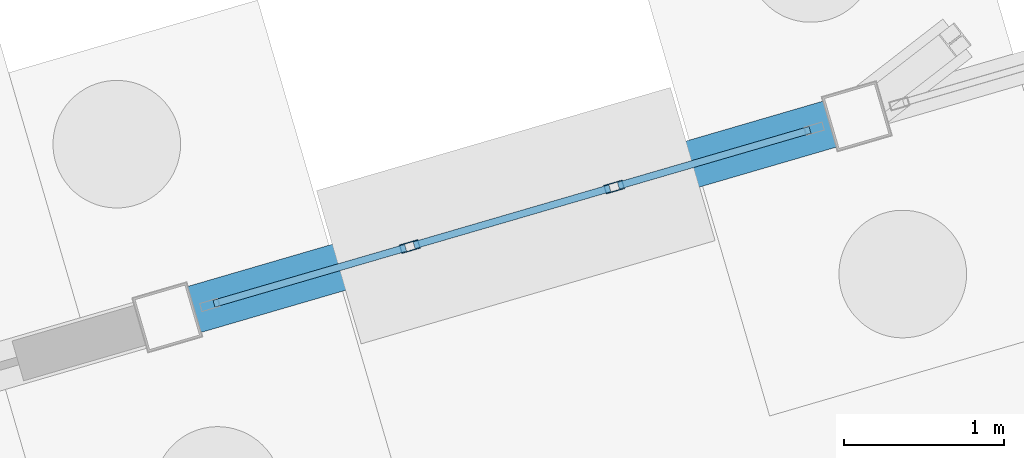
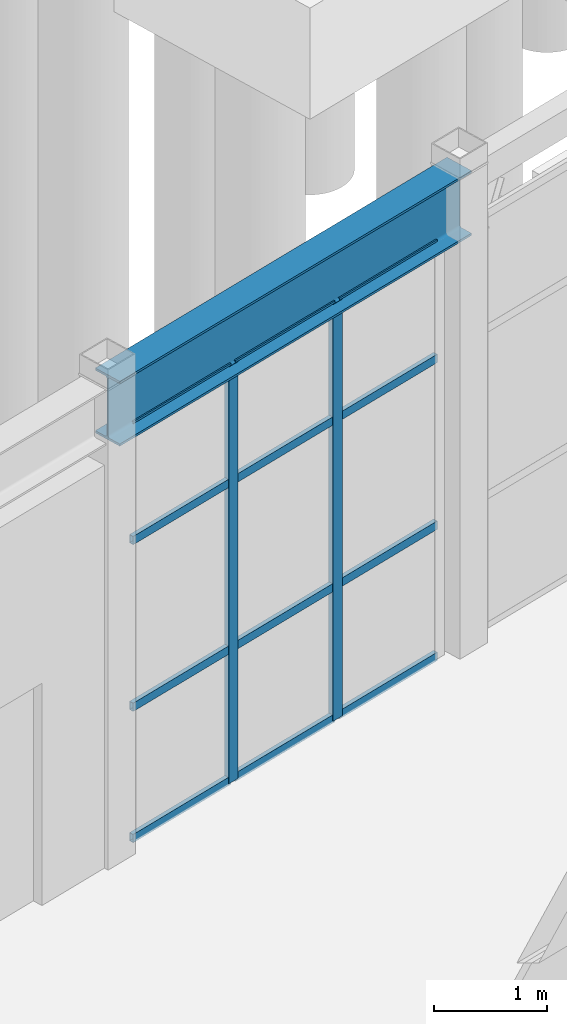
# One storey, part 44 of 90: 14 members, 1 beam, 1 element without a shape of its own.
"""IFC4 building model written with IfcOpenShell, lengths in metres."""

from ifc_helpers import new_model, si_unit, direction, frame, origin, origin_2d, place, context, subcontext, project, spatial, hollow_rectangle, i_section, extrude, material, layer, layer_set, material_profile, profile_set, type_object, element, aggregate, save


model = new_model("IFC4")

# Units and contexts
model_context = context("Model", 3, precision=1e-05, world=origin(), true_north=direction((0.0, 1.0)))
body_context = subcontext(model_context, "Body", "Model", "MODEL_VIEW")
ifc_project = project(units=[si_unit("LENGTHUNIT", "METRE"), si_unit("AREAUNIT", "SQUARE_METRE"), si_unit("VOLUMEUNIT", "CUBIC_METRE"), si_unit("PLANEANGLEUNIT", "RADIAN"), si_unit("MASSUNIT", "GRAM", prefix="KILO")], contexts=[model_context])

# Site, building, storey
site_placement = place(None, origin())
site = spatial("IfcSite", under=ifc_project, at=site_placement, CompositionType="ELEMENT")
building_placement = place(site_placement, origin())
building = spatial("IfcBuilding", under=site, at=building_placement, Name="Canggui Botanical Conservatory", CompositionType="ELEMENT")
storey_placement = place(building_placement, origin())
storey = spatial("IfcBuildingStorey", under=building, at=storey_placement, Name="L01", CompositionType="ELEMENT", Elevation=0.0)

# Beam
ifc_material_1 = material(Name="Steel Q355B", Category="steel")
ifc_material_profile_1 = material_profile(ifc_material_1, i_section(OverallWidth=0.300048828125, OverallDepth=0.699951171875, WebThickness=0.012939453125, FlangeThickness=0.02392578125, FilletRadius=0.02587890625, at=origin_2d()), Name="HN 700x300x13x24")
ifc_profile_set_1 = profile_set([ifc_material_profile_1], Name="Steel Q355B")
beam_type = type_object("IfcBeamType", Name="BM-GL10", PredefinedType="BEAM", material=ifc_profile_set_1)
beam_placement = place(storey_placement, frame((54.800048828125, 83.39990234375, 4.824951171875), z_axis=(0.960000607627, 0.279997916698, 0.0), x_axis=(-0.279997916698, 0.960000607627, 0.0)))
element("IfcBeam", 1, at=beam_placement, inside=storey, type_object=beam_type, Name="Conservatory Skywalk Perimeter Girder V1-13", PredefinedType="BEAM", context=body_context, shape_type="SweptSolid", body=[
    extrude(i_section(OverallWidth=0.300048828125, OverallDepth=0.699951171875, WebThickness=0.012939453125, FlangeThickness=0.02392578125, FilletRadius=0.02587890625, at=origin_2d()), origin(), (0.0, 0.0, 1.0), 4.5),
])

# Curtain wall, members
ifc_material_2 = material(Name="Thermally Broken Aluminium", Category="aluminium")
ifc_layer = layer(ifc_material_2, 0.1201171875, Name="Thermally Broken Aluminium", Category="aluminium")
ifc_layer_set = layer_set([ifc_layer], Name="Thermally Broken Aluminium")
curtain_wall_type = type_object("IfcCurtainWallType", Name="CW-STICK-B", PredefinedType="USERDEFINED", material=ifc_layer_set)
curtain_wall_placement = place(storey_placement, origin())
curtain_wall = element("IfcCurtainWall", 2, at=curtain_wall_placement, inside=storey, type_object=curtain_wall_type, Name="Facade Curtain Wall CW-CONS-L01-V1-13", ObjectType="STICK GLAZED WALL", PredefinedType="USERDEFINED")
ifc_material_profile_2 = material_profile(ifc_material_2, hollow_rectangle(XDim=0.054931640625, YDim=0.1201171875, WallThickness=0.0029296875, at=origin_2d()), Name="CWM 55x120x3")
ifc_profile_set_2 = profile_set([ifc_material_profile_2], Name="Thermally Broken Aluminium")
member_type_1 = type_object("IfcMemberType", Name="CWM-05", PredefinedType="MULLION", material=ifc_profile_set_2)
member_1_placement = place(storey_placement, frame((56.320068359375, 83.84326171875, 0.0), z_axis=(0.0, 0.0, 1.0), x_axis=(-0.279999999995, 0.960000000002, 0.0)))
member_1 = element("IfcMember", 3, at=member_1_placement, type_object=member_type_1, Name="CW-05 mullion 2", PredefinedType="MULLION", context=body_context, shape_type="SweptSolid", body=[
    extrude(hollow_rectangle(XDim=0.054931640625, YDim=0.1201171875, WallThickness=0.0029296875, at=origin_2d()), origin(), (0.0, 0.0, 1.0), 4.5),
])
member_2_placement = place(storey_placement, frame((57.60009765625, 84.216552734375, 0.0), z_axis=(0.0, 0.0, 1.0), x_axis=(-0.279999999995, 0.960000000002, 0.0)))
member_2 = element("IfcMember", 4, at=member_2_placement, type_object=member_type_1, Name="CW-05 mullion 3", PredefinedType="MULLION", context=body_context, shape_type="SweptSolid", body=[
    extrude(hollow_rectangle(XDim=0.054931640625, YDim=0.1201171875, WallThickness=0.0029296875, at=origin_2d()), origin(), (0.0, 0.0, 1.0), 4.5),
])
ifc_material_profile_3 = material_profile(ifc_material_2, hollow_rectangle(XDim=0.044921875, YDim=0.090087890625, WallThickness=0.0029296875, at=origin_2d()), Name="CWT 45x90x3")
ifc_profile_set_3 = profile_set([ifc_material_profile_3], Name="Thermally Broken Aluminium")
member_type_2 = type_object("IfcMemberType", Name="CWT-05", PredefinedType="USERDEFINED", material=ifc_profile_set_3)
member_3_placement = place(storey_placement, frame((55.0927734375, 83.4853515625, 0.0224609375), z_axis=(0.95998469814, 0.280052458189, 0.0), x_axis=(-0.280052458189, 0.95998469814, 0.0)))
member_3 = element("IfcMember", 5, at=member_3_placement, type_object=member_type_2, Name="CW-05 transom 1.1", ObjectType="TRANSOM", PredefinedType="USERDEFINED", context=body_context, shape_type="SweptSolid", body=[
    extrude(hollow_rectangle(XDim=0.044921875, YDim=0.090087890625, WallThickness=0.0029296875, at=origin_2d()), origin(), (0.0, 0.0, 1.0), 1.2509765625),
])
member_4_placement = place(storey_placement, frame((55.0927734375, 83.4853515625, 1.43994140625), z_axis=(0.95998469814, 0.280052458189, 0.0), x_axis=(-0.280052458189, 0.95998469814, 0.0)))
member_4 = element("IfcMember", 6, at=member_4_placement, type_object=member_type_2, Name="CW-05 transom 1.2", ObjectType="TRANSOM", PredefinedType="USERDEFINED", context=body_context, shape_type="SweptSolid", body=[
    extrude(hollow_rectangle(XDim=0.044921875, YDim=0.090087890625, WallThickness=0.0029296875, at=origin_2d()), origin(), (0.0, 0.0, 1.0), 1.2509765625),
])
member_5_placement = place(storey_placement, frame((55.0927734375, 83.4853515625, 3.239990234375), z_axis=(0.95998469814, 0.280052458189, 0.0), x_axis=(-0.280052458189, 0.95998469814, 0.0)))
member_5 = element("IfcMember", 7, at=member_5_placement, type_object=member_type_2, Name="CW-05 transom 1.3", ObjectType="TRANSOM", PredefinedType="USERDEFINED", context=body_context, shape_type="SweptSolid", body=[
    extrude(hollow_rectangle(XDim=0.044921875, YDim=0.090087890625, WallThickness=0.0029296875, at=origin_2d()), origin(), (0.0, 0.0, 1.0), 1.2509765625),
])
member_6_placement = place(storey_placement, frame((55.0927734375, 83.4853515625, 4.4775390625), z_axis=(0.95998469814, 0.280052458189, 0.0), x_axis=(-0.280052458189, 0.95998469814, 0.0)))
member_6 = element("IfcMember", 8, at=member_6_placement, type_object=member_type_2, Name="CW-05 transom 1.4", ObjectType="TRANSOM", PredefinedType="USERDEFINED", context=body_context, shape_type="SweptSolid", body=[
    extrude(hollow_rectangle(XDim=0.044921875, YDim=0.090087890625, WallThickness=0.0029296875, at=origin_2d()), origin(), (0.0, 0.0, 1.0), 1.2509765625),
])
member_7_placement = place(storey_placement, frame((56.346435546875, 83.85107421875, 0.0224609375), z_axis=(0.959995721355, 0.280014669221, 0.0), x_axis=(-0.280014669221, 0.959995721355, 0.0)))
member_7 = element("IfcMember", 9, at=member_7_placement, type_object=member_type_2, Name="CW-05 transom 2.1", ObjectType="TRANSOM", PredefinedType="USERDEFINED", context=body_context, shape_type="SweptSolid", body=[
    extrude(hollow_rectangle(XDim=0.044921875, YDim=0.090087890625, WallThickness=0.0029296875, at=origin_2d()), origin(), (0.0, 0.0, 1.0), 1.278076171875),
])
member_8_placement = place(storey_placement, frame((56.346435546875, 83.85107421875, 1.43994140625), z_axis=(0.959995721355, 0.280014669221, 0.0), x_axis=(-0.280014669221, 0.959995721355, 0.0)))
member_8 = element("IfcMember", 10, at=member_8_placement, type_object=member_type_2, Name="CW-05 transom 2.2", ObjectType="TRANSOM", PredefinedType="USERDEFINED", context=body_context, shape_type="SweptSolid", body=[
    extrude(hollow_rectangle(XDim=0.044921875, YDim=0.090087890625, WallThickness=0.0029296875, at=origin_2d()), origin(), (0.0, 0.0, 1.0), 1.278076171875),
])
member_9_placement = place(storey_placement, frame((56.346435546875, 83.85107421875, 3.239990234375), z_axis=(0.959995721355, 0.280014669221, 0.0), x_axis=(-0.280014669221, 0.959995721355, 0.0)))
member_9 = element("IfcMember", 11, at=member_9_placement, type_object=member_type_2, Name="CW-05 transom 2.3", ObjectType="TRANSOM", PredefinedType="USERDEFINED", context=body_context, shape_type="SweptSolid", body=[
    extrude(hollow_rectangle(XDim=0.044921875, YDim=0.090087890625, WallThickness=0.0029296875, at=origin_2d()), origin(), (0.0, 0.0, 1.0), 1.278076171875),
])
member_10_placement = place(storey_placement, frame((56.346435546875, 83.85107421875, 4.4775390625), z_axis=(0.959995721355, 0.280014669221, 0.0), x_axis=(-0.280014669221, 0.959995721355, 0.0)))
member_10 = element("IfcMember", 12, at=member_10_placement, type_object=member_type_2, Name="CW-05 transom 2.4", ObjectType="TRANSOM", PredefinedType="USERDEFINED", context=body_context, shape_type="SweptSolid", body=[
    extrude(hollow_rectangle(XDim=0.044921875, YDim=0.090087890625, WallThickness=0.0029296875, at=origin_2d()), origin(), (0.0, 0.0, 1.0), 1.278076171875),
])
member_11_placement = place(storey_placement, frame((57.62646484375, 84.224365234375, 0.0224609375), z_axis=(0.959969387677, 0.2801049352, 0.0), x_axis=(-0.2801049352, 0.959969387677, 0.0)))
member_11 = element("IfcMember", 13, at=member_11_placement, type_object=member_type_2, Name="CW-05 transom 3.1", ObjectType="TRANSOM", PredefinedType="USERDEFINED", context=body_context, shape_type="SweptSolid", body=[
    extrude(hollow_rectangle(XDim=0.044921875, YDim=0.090087890625, WallThickness=0.0029296875, at=origin_2d()), origin(), (0.0, 0.0, 1.0), 1.250732421875),
])
member_12_placement = place(storey_placement, frame((57.62646484375, 84.224365234375, 1.43994140625), z_axis=(0.959969387677, 0.2801049352, 0.0), x_axis=(-0.2801049352, 0.959969387677, 0.0)))
member_12 = element("IfcMember", 14, at=member_12_placement, type_object=member_type_2, Name="CW-05 transom 3.2", ObjectType="TRANSOM", PredefinedType="USERDEFINED", context=body_context, shape_type="SweptSolid", body=[
    extrude(hollow_rectangle(XDim=0.044921875, YDim=0.090087890625, WallThickness=0.0029296875, at=origin_2d()), origin(), (0.0, 0.0, 1.0), 1.250732421875),
])
member_13_placement = place(storey_placement, frame((57.62646484375, 84.224365234375, 3.239990234375), z_axis=(0.959969387677, 0.2801049352, 0.0), x_axis=(-0.2801049352, 0.959969387677, 0.0)))
member_13 = element("IfcMember", 15, at=member_13_placement, type_object=member_type_2, Name="CW-05 transom 3.3", ObjectType="TRANSOM", PredefinedType="USERDEFINED", context=body_context, shape_type="SweptSolid", body=[
    extrude(hollow_rectangle(XDim=0.044921875, YDim=0.090087890625, WallThickness=0.0029296875, at=origin_2d()), origin(), (0.0, 0.0, 1.0), 1.250732421875),
])
member_14_placement = place(storey_placement, frame((57.62646484375, 84.224365234375, 4.4775390625), z_axis=(0.959969387677, 0.2801049352, 0.0), x_axis=(-0.2801049352, 0.959969387677, 0.0)))
member_14 = element("IfcMember", 16, at=member_14_placement, type_object=member_type_2, Name="CW-05 transom 3.4", ObjectType="TRANSOM", PredefinedType="USERDEFINED", context=body_context, shape_type="SweptSolid", body=[
    extrude(hollow_rectangle(XDim=0.044921875, YDim=0.090087890625, WallThickness=0.0029296875, at=origin_2d()), origin(), (0.0, 0.0, 1.0), 1.250732421875),
])
aggregate(curtain_wall, [member_1, member_2, member_3, member_4, member_5, member_6, member_7, member_8, member_9, member_10, member_11, member_12, member_13, member_14])

save(model, "model.ifc")
